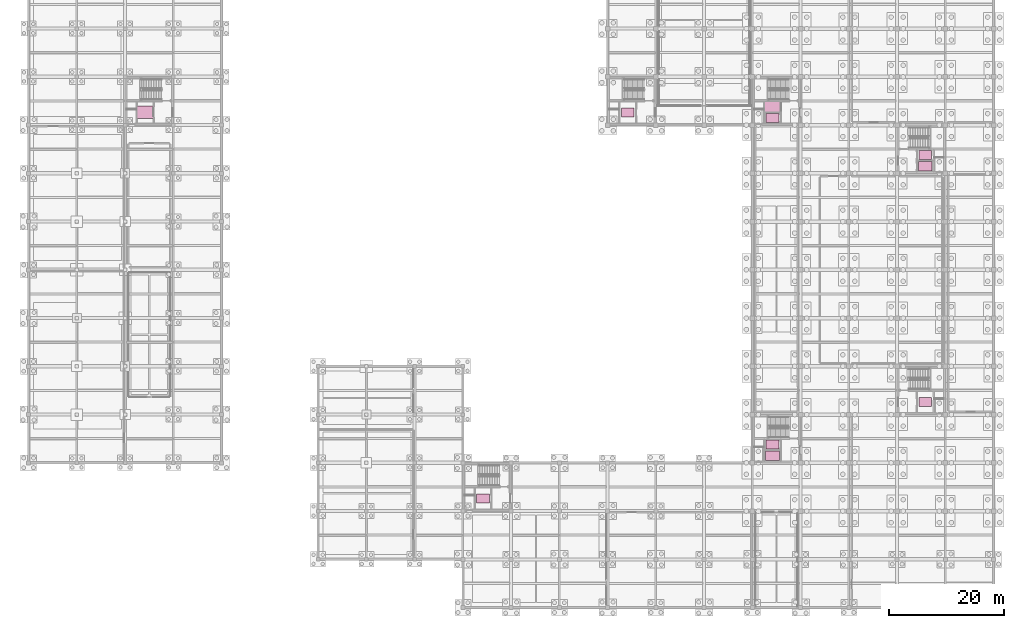
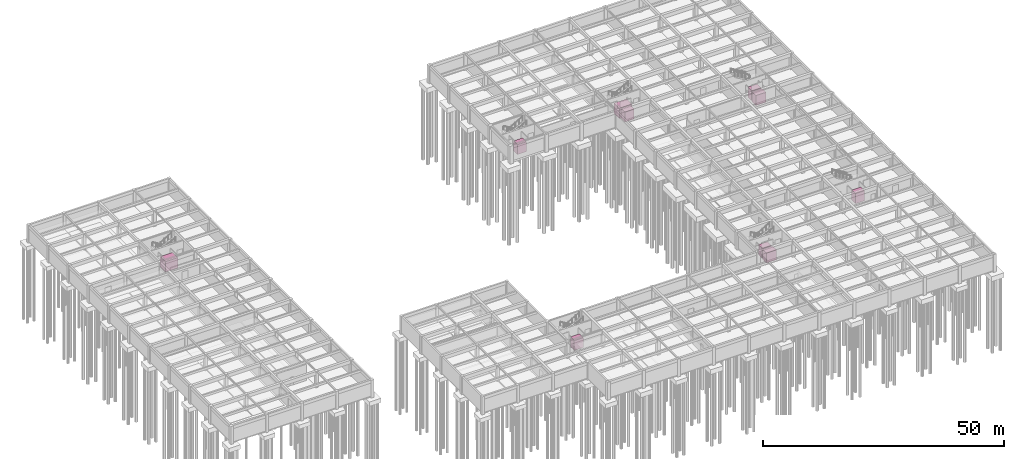
# One storey, part 33 of 33: 10 transport elements.
"""IFC4 building model written with IfcOpenShell, lengths in metres."""

from ifc_helpers import new_model, si_unit, direction, frame, origin, origin_2d, place, context, subcontext, project, spatial, rectangle, extrude, material, type_object, element, save


model = new_model("IFC4")

# Units and contexts
model_context = context("Model", 3, precision=1e-05, world=origin(), true_north=direction((0.0, 1.0)))
body_context = subcontext(model_context, "Body", "Model", "MODEL_VIEW")
ifc_project = project(units=[si_unit("LENGTHUNIT", "METRE"), si_unit("AREAUNIT", "SQUARE_METRE"), si_unit("VOLUMEUNIT", "CUBIC_METRE"), si_unit("PLANEANGLEUNIT", "RADIAN"), si_unit("MASSUNIT", "GRAM", prefix="KILO")], contexts=[model_context])

# Site, building, storey
site_placement = place(None, origin())
site = spatial("IfcSite", under=ifc_project, at=site_placement, CompositionType="ELEMENT")
building_placement = place(site_placement, origin())
building = spatial("IfcBuilding", under=site, at=building_placement, Name="Kveldsbrygga Polytechnic", CompositionType="ELEMENT")
storey_placement = place(building_placement, frame((0.0, 0.0, -4.419921875)))
storey = spatial("IfcBuildingStorey", under=building, at=storey_placement, Name="B1", CompositionType="ELEMENT", Elevation=-4.419921875)

# Transport elements
ifc_material = material(Name="Brushed stainless steel EN 1.4401", Category="steel")
transport_element_type_1 = type_object("IfcTransportElementType", Name="LFT-FF-160x240", PredefinedType="ELEVATOR", material=ifc_material)
for number, where, z_axis, x_axis, name in (
    (1, (129.5, 26.425048828125, 0.02001953125), (0.0, 0.0, 1.0), (1.0, 0.0, 0.0), "Lift FL-1"),
    (2, (156.10009765625, 76.824951171875, 0.02001953125), (0.0, 0.0, 1.0), (1.0, 0.0, 0.0), "Lift FL-2"),
):
    element("IfcTransportElement", number, at=place(storey_placement, frame(where, z_axis=z_axis, x_axis=x_axis)), inside=storey, type_object=transport_element_type_1, Name=name, PredefinedType="ELEVATOR", context=body_context, shape_type="SweptSolid", body=[
        extrude(rectangle(XDim=2.39990234375, YDim=1.60009765625, at=origin_2d()), origin(), (0.0, 0.0, 1.0), 2.5),
    ])
transport_element_type_2 = type_object("IfcTransportElementType", Name="LFT-GDS-220x300", PredefinedType="ELEVATOR", material=ifc_material)
for number, where, z_axis, x_axis, name in (
    (3, (129.5, 87.175048828125, 0.019775390625), (0.0, 0.0, 1.0), (1.0, 0.0, 0.0), "Lift GL-1"),
    (4, (20.300048828125, 86.199951171875, 0.019775390625), (0.0, 0.0, 1.0), (1.0, 0.0, 0.0), "Lift GL-2"),
):
    element("IfcTransportElement", number, at=place(storey_placement, frame(where, z_axis=z_axis, x_axis=x_axis)), inside=storey, type_object=transport_element_type_2, Name=name, PredefinedType="ELEVATOR", context=body_context, shape_type="SweptSolid", body=[
        extrude(rectangle(XDim=3.0, YDim=2.199951171875, at=origin_2d()), origin(), (0.0, 0.0, 1.0), 2.60009765625),
    ])
transport_element_type_3 = type_object("IfcTransportElementType", Name="LFT-PAX-160x220", PredefinedType="ELEVATOR", material=ifc_material)
for number, where, z_axis, x_axis, name in (
    (5, (129.5, 28.375, 0.02001953125), (0.0, 0.0, 1.0), (1.0, 0.0, 0.0), "Lift LP-1"),
    (6, (129.5, 85.22509765625, 0.02001953125), (0.0, 0.0, 1.0), (1.0, 0.0, 0.0), "Lift LP-2"),
    (7, (156.10009765625, 35.800048828125, 0.02001953125), (0.0, 0.0, 1.0), (1.0, 0.0, 0.0), "Lift LP-3"),
    (8, (156.10009765625, 78.77490234375, 0.02001953125), (0.0, 0.0, 1.0), (1.0, 0.0, 0.0), "Lift LP-4"),
    (9, (104.300048828125, 86.199951171875, 0.02001953125), (0.0, 0.0, 1.0), (1.0, 0.0, 0.0), "Lift LP-5"),
    (10, (79.10009765625, 19.0, 0.02001953125), (0.0, 0.0, 1.0), (1.0, 0.0, 0.0), "Lift LP-6"),
):
    element("IfcTransportElement", number, at=place(storey_placement, frame(where, z_axis=z_axis, x_axis=x_axis)), inside=storey, type_object=transport_element_type_3, Name=name, PredefinedType="ELEVATOR", context=body_context, shape_type="SweptSolid", body=[
        extrude(rectangle(XDim=2.199951171875, YDim=1.60009765625, at=origin_2d()), origin(), (0.0, 0.0, 1.0), 2.5),
    ])

save(model, "model.ifc")
